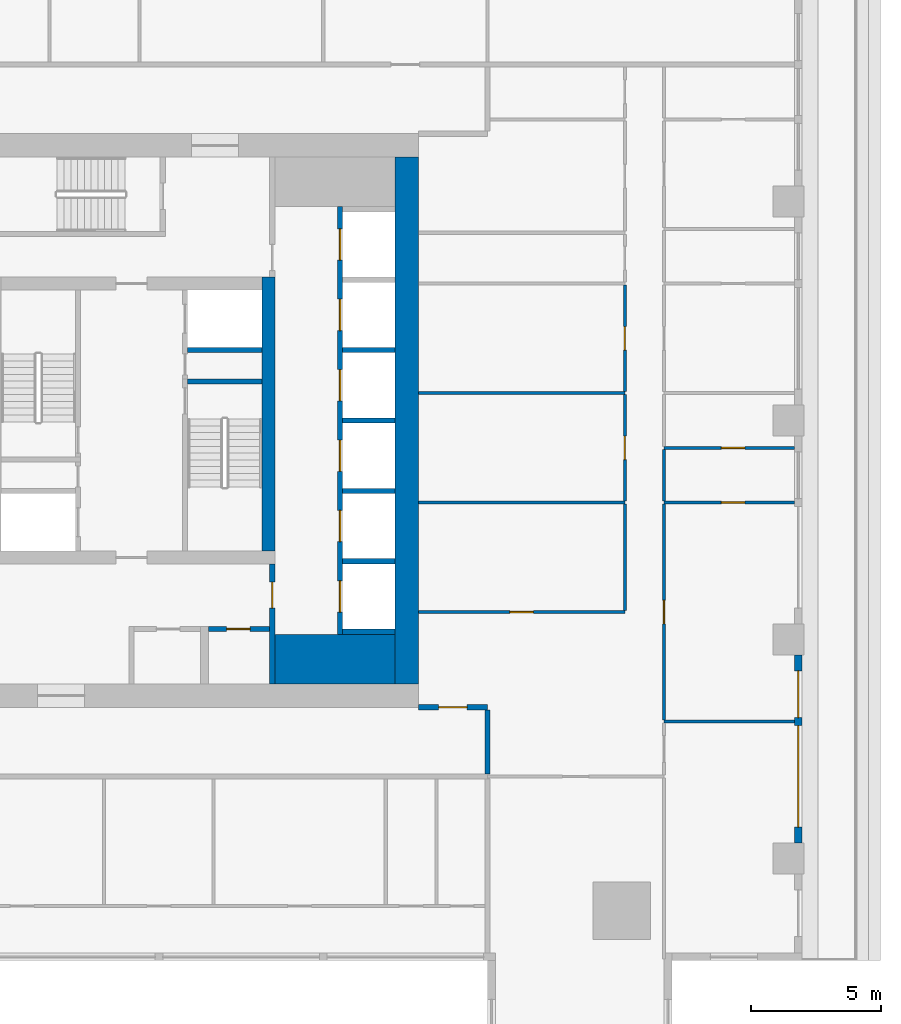
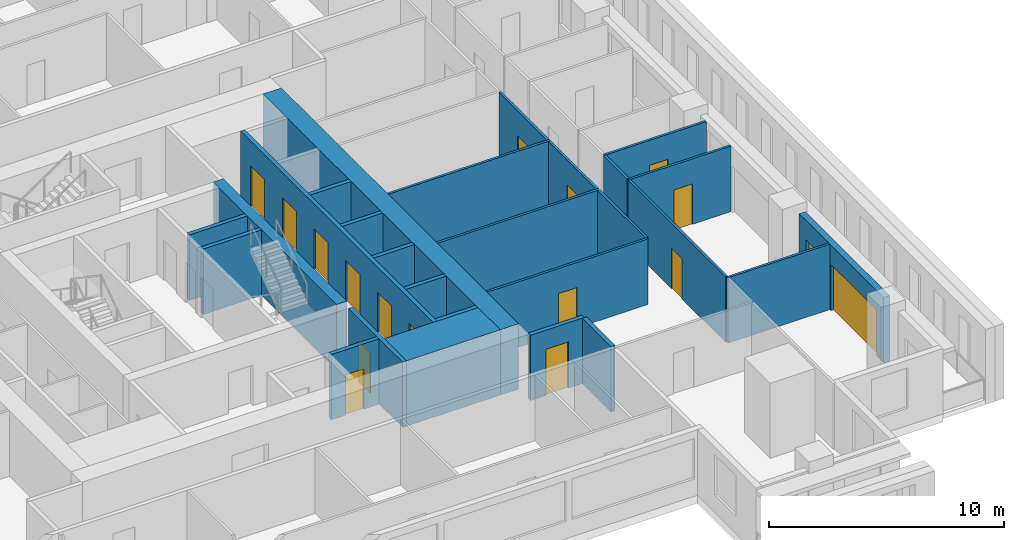
# One storey, part 5 of 14: 27 walls, 17 doors, 17 openings.
"""IFC4 building model written with IfcOpenShell, lengths in metres."""

from ifc_helpers import new_model, si_unit, direction, frame, frame_2d, origin, place, context, subcontext, project, spatial, rectangle, extrude, material, layer, layer_set, type_object, element, fill, save


model = new_model("IFC4")

# Units and contexts
model_context = context("Model", 3, precision=1e-05, world=origin(), true_north=direction((0.0, 1.0)))
body_context = subcontext(model_context, "Body", "Model", "MODEL_VIEW")
ifc_project = project(units=[si_unit("LENGTHUNIT", "METRE"), si_unit("AREAUNIT", "SQUARE_METRE"), si_unit("VOLUMEUNIT", "CUBIC_METRE"), si_unit("PLANEANGLEUNIT", "RADIAN"), si_unit("MASSUNIT", "GRAM", prefix="KILO")], contexts=[model_context])

# Site, building, storey
site_placement = place(None, origin())
site = spatial("IfcSite", under=ifc_project, at=site_placement, CompositionType="ELEMENT")
building_placement = place(site_placement, origin())
building = spatial("IfcBuilding", under=site, at=building_placement, Name="Khepri Terraces", CompositionType="ELEMENT")
storey_placement = place(building_placement, frame((0.0, 0.0, 283.5)))
storey = spatial("IfcBuildingStorey", under=building, at=storey_placement, Name="L68", CompositionType="ELEMENT", Elevation=283.5)

# Walls
ifc_material_1 = material(Name="Concrete C40/50", Category="concrete")
ifc_layer_1 = layer(ifc_material_1, 1.89990234375, Name="Concrete C40/50", Category="concrete")
ifc_layer_set_1 = layer_set([ifc_layer_1], Name="Concrete C40/50")
wall_type_1 = type_object("IfcWallType", Name="Core wall 1900 C40/50", PredefinedType="SHEAR", material=ifc_layer_set_1)
wall_1_placement = place(storey_placement, frame((5.5, -9.14990234375, 0.0), z_axis=(0.0, 0.0, 1.0), x_axis=(1.0, 0.0, 0.0)))
element("IfcWall", 1, at=wall_1_placement, inside=storey, type_object=wall_type_1, Name="Core wall PR02 L68", PredefinedType="SHEAR", context=body_context, shape_type="SweptSolid", body=[
    extrude(rectangle(XDim=4.60009765625, YDim=1.89990234375, at=frame_2d((2.300048828125, 0.0))), origin(), (0.0, 0.0, 1.0), 3.39990234375),
])
ifc_layer_2 = layer(ifc_material_1, 0.199951171875, Name="Concrete C40/50", Category="concrete")
ifc_layer_set_2 = layer_set([ifc_layer_2], Name="Concrete C40/50")
wall_type_2 = type_object("IfcWallType", Name="Core wall 200 C40/50", PredefinedType="SHEAR", material=ifc_layer_set_2)
wall_2_placement = place(storey_placement, frame((2.14990234375, 1.5, 0.0), z_axis=(0.0, 0.0, 1.0), x_axis=(1.0, 0.0, 0.0)))
element("IfcWall", 2, at=wall_2_placement, inside=storey, type_object=wall_type_2, Name="Core wall ST04 L68", PredefinedType="SHEAR", context=body_context, shape_type="SweptSolid", body=[
    extrude(rectangle(XDim=2.85009765625, YDim=0.199951171875, at=frame_2d((1.425048828125, 0.0))), origin(), (0.0, 0.0, 1.0), 3.39990234375),
])

# Wall, openings, doors
wall_3_placement = place(storey_placement, frame((8.0, -8.199951171875, 0.0), z_axis=(0.0, 0.0, 1.0), x_axis=(0.0, 1.0, 0.0)))
wall_3 = element("IfcWall", 3, at=wall_3_placement, inside=storey, type_object=wall_type_2, Name="Core wall SH02 L68", PredefinedType="SHEAR", context=body_context, shape_type="SweptSolid", body=[
    extrude(rectangle(XDim=16.39990234375, YDim=0.199951171875, at=frame_2d((8.199951171875, 0.0))), origin(), (0.0, 0.0, 1.0), 3.39990234375),
])
opening_1_placement = place(wall_3_placement, frame((0.85009765625, 0.0, 0.0)))
opening_1 = element("IfcOpeningElement", 4, at=opening_1_placement, cuts=wall_3, Name="Opening L68-C01", PredefinedType="OPENING", context=body_context, shape_type="SweptSolid", body=[
    extrude(rectangle(XDim=1.199951171875, YDim=2.10009765625, at=frame_2d((0.60009765625, 1.050048828125))), frame((0.0, 0.10986328125, 0.0), z_axis=(0.0, -1.0, 0.0), x_axis=(1.0, 0.0, 0.0)), (0.0, 0.0, 1.0), 0.219970703125),
])
opening_2_placement = place(wall_3_placement, frame((3.550048828125, 0.0, 0.0)))
opening_2 = element("IfcOpeningElement", 5, at=opening_2_placement, cuts=wall_3, Name="Opening L68-C02", PredefinedType="OPENING", context=body_context, shape_type="SweptSolid", body=[
    extrude(rectangle(XDim=1.199951171875, YDim=2.10009765625, at=frame_2d((0.60009765625, 1.050048828125))), frame((0.0, 0.10986328125, 0.0), z_axis=(0.0, -1.0, 0.0), x_axis=(1.0, 0.0, 0.0)), (0.0, 0.0, 1.0), 0.219970703125),
])
opening_3_placement = place(wall_3_placement, frame((6.25, 0.0, 0.0)))
opening_3 = element("IfcOpeningElement", 6, at=opening_3_placement, cuts=wall_3, Name="Opening L68-C03", PredefinedType="OPENING", context=body_context, shape_type="SweptSolid", body=[
    extrude(rectangle(XDim=1.199951171875, YDim=2.10009765625, at=frame_2d((0.60009765625, 1.050048828125))), frame((0.0, 0.10986328125, 0.0), z_axis=(0.0, -1.0, 0.0), x_axis=(1.0, 0.0, 0.0)), (0.0, 0.0, 1.0), 0.219970703125),
])
opening_4_placement = place(wall_3_placement, frame((8.949951171875, 0.0, 0.0)))
opening_4 = element("IfcOpeningElement", 7, at=opening_4_placement, cuts=wall_3, Name="Opening L68-C04", PredefinedType="OPENING", context=body_context, shape_type="SweptSolid", body=[
    extrude(rectangle(XDim=1.199951171875, YDim=2.10009765625, at=frame_2d((0.60009765625, 1.050048828125))), frame((0.0, 0.10986328125, 0.0), z_axis=(0.0, -1.0, 0.0), x_axis=(1.0, 0.0, 0.0)), (0.0, 0.0, 1.0), 0.219970703125),
])
opening_5_placement = place(wall_3_placement, frame((11.64990234375, 0.0, 0.0)))
opening_5 = element("IfcOpeningElement", 8, at=opening_5_placement, cuts=wall_3, Name="Opening L68-C05", PredefinedType="OPENING", context=body_context, shape_type="SweptSolid", body=[
    extrude(rectangle(XDim=1.199951171875, YDim=2.10009765625, at=frame_2d((0.60009765625, 1.050048828125))), frame((0.0, 0.10986328125, 0.0), z_axis=(0.0, -1.0, 0.0), x_axis=(1.0, 0.0, 0.0)), (0.0, 0.0, 1.0), 0.219970703125),
])
opening_6_placement = place(wall_3_placement, frame((14.35009765625, 0.0, 0.0)))
opening_6 = element("IfcOpeningElement", 9, at=opening_6_placement, cuts=wall_3, Name="Opening L68-C06", PredefinedType="OPENING", context=body_context, shape_type="SweptSolid", body=[
    extrude(rectangle(XDim=1.199951171875, YDim=2.10009765625, at=frame_2d((0.60009765625, 1.050048828125))), frame((0.0, 0.10986328125, 0.0), z_axis=(0.0, -1.0, 0.0), x_axis=(1.0, 0.0, 0.0)), (0.0, 0.0, 1.0), 0.219970703125),
])
ifc_material_2 = material(Name="Stainless steel 304", Category="steel")
door_type_1 = type_object("IfcDoorType", Name="DR-CORE-LANDING-1200", OperationType="NOTDEFINED", PredefinedType="DOOR", material=ifc_material_2)
door_1_placement = place(opening_1_placement, origin())
door_1 = element("IfcDoor", 10, at=door_1_placement, inside=storey, type_object=door_type_1, Name="Lift landing door L68-C01", OperationType="SLIDING_TO_LEFT", OverallHeight=2.10009765625, OverallWidth=1.199951171875, PredefinedType="DOOR", context=body_context, shape_type="SweptSolid", body=[
    extrude(rectangle(XDim=1.199951171875, YDim=2.10009765625, at=frame_2d((0.60009765625, 1.050048828125))), frame((0.0, 0.02490234375, 0.0), z_axis=(0.0, -1.0, 0.0), x_axis=(1.0, 0.0, 0.0)), (0.0, 0.0, 1.0), 0.050048828125),
])
fill(opening_1, door_1)
door_2_placement = place(opening_2_placement, origin())
door_2 = element("IfcDoor", 11, at=door_2_placement, inside=storey, type_object=door_type_1, Name="Lift landing door L68-C02", OperationType="SLIDING_TO_LEFT", OverallHeight=2.10009765625, OverallWidth=1.199951171875, PredefinedType="DOOR", context=body_context, shape_type="SweptSolid", body=[
    extrude(rectangle(XDim=1.199951171875, YDim=2.10009765625, at=frame_2d((0.60009765625, 1.050048828125))), frame((0.0, 0.02490234375, 0.0), z_axis=(0.0, -1.0, 0.0), x_axis=(1.0, 0.0, 0.0)), (0.0, 0.0, 1.0), 0.050048828125),
])
fill(opening_2, door_2)
door_3_placement = place(opening_3_placement, origin())
door_3 = element("IfcDoor", 12, at=door_3_placement, inside=storey, type_object=door_type_1, Name="Lift landing door L68-C03", OperationType="SLIDING_TO_LEFT", OverallHeight=2.10009765625, OverallWidth=1.199951171875, PredefinedType="DOOR", context=body_context, shape_type="SweptSolid", body=[
    extrude(rectangle(XDim=1.199951171875, YDim=2.10009765625, at=frame_2d((0.60009765625, 1.050048828125))), frame((0.0, 0.02490234375, 0.0), z_axis=(0.0, -1.0, 0.0), x_axis=(1.0, 0.0, 0.0)), (0.0, 0.0, 1.0), 0.050048828125),
])
fill(opening_3, door_3)
door_4_placement = place(opening_4_placement, origin())
door_4 = element("IfcDoor", 13, at=door_4_placement, inside=storey, type_object=door_type_1, Name="Lift landing door L68-C04", OperationType="SLIDING_TO_LEFT", OverallHeight=2.10009765625, OverallWidth=1.199951171875, PredefinedType="DOOR", context=body_context, shape_type="SweptSolid", body=[
    extrude(rectangle(XDim=1.199951171875, YDim=2.10009765625, at=frame_2d((0.60009765625, 1.050048828125))), frame((0.0, 0.02490234375, 0.0), z_axis=(0.0, -1.0, 0.0), x_axis=(1.0, 0.0, 0.0)), (0.0, 0.0, 1.0), 0.050048828125),
])
fill(opening_4, door_4)
door_5_placement = place(opening_5_placement, origin())
door_5 = element("IfcDoor", 14, at=door_5_placement, inside=storey, type_object=door_type_1, Name="Lift landing door L68-C05", OperationType="SLIDING_TO_LEFT", OverallHeight=2.10009765625, OverallWidth=1.199951171875, PredefinedType="DOOR", context=body_context, shape_type="SweptSolid", body=[
    extrude(rectangle(XDim=1.199951171875, YDim=2.10009765625, at=frame_2d((0.60009765625, 1.050048828125))), frame((0.0, 0.02490234375, 0.0), z_axis=(0.0, -1.0, 0.0), x_axis=(1.0, 0.0, 0.0)), (0.0, 0.0, 1.0), 0.050048828125),
])
fill(opening_5, door_5)
door_6_placement = place(opening_6_placement, origin())
door_6 = element("IfcDoor", 15, at=door_6_placement, inside=storey, type_object=door_type_1, Name="Lift landing door L68-C06", OperationType="SLIDING_TO_LEFT", OverallHeight=2.10009765625, OverallWidth=1.199951171875, PredefinedType="DOOR", context=body_context, shape_type="SweptSolid", body=[
    extrude(rectangle(XDim=1.199951171875, YDim=2.10009765625, at=frame_2d((0.60009765625, 1.050048828125))), frame((0.0, 0.02490234375, 0.0), z_axis=(0.0, -1.0, 0.0), x_axis=(1.0, 0.0, 0.0)), (0.0, 0.0, 1.0), 0.050048828125),
])
fill(opening_6, door_6)

# Walls
for number, where, z_axis, x_axis, name in (
    (16, (8.10009765625, -8.10009765625, 0.0), (0.0, 0.0, 1.0), (1.0, 0.0, 0.0), "Core wall SH03 L68"),
    (17, (8.10009765625, -5.39990234375, 0.0), (0.0, 0.0, 1.0), (1.0, 0.0, 0.0), "Core wall SH04 L68"),
    (18, (8.10009765625, -2.699951171875, 0.0), (0.0, 0.0, 1.0), (1.0, 0.0, 0.0), "Core wall SH08 L68"),
    (19, (8.10009765625, 0.0, 0.0), (0.0, 0.0, 1.0), (1.0, 0.0, 0.0), "Core wall SH09 L68"),
):
    element("IfcWall", number, at=place(storey_placement, frame(where, z_axis=z_axis, x_axis=x_axis)), inside=storey, type_object=wall_type_2, Name=name, PredefinedType="SHEAR", context=body_context, shape_type="SweptSolid", body=[
        extrude(rectangle(XDim=2.0, YDim=0.199951171875, at=frame_2d((1.0, 0.0))), origin(), (0.0, 0.0, 1.0), 3.39990234375),
    ])
wall_4_placement = place(storey_placement, frame((2.14990234375, 2.699951171875, 0.0), z_axis=(0.0, 0.0, 1.0), x_axis=(1.0, 0.0, 0.0)))
element("IfcWall", 20, at=wall_4_placement, inside=storey, type_object=wall_type_2, Name="Core wall SH12 L68", PredefinedType="SHEAR", context=body_context, shape_type="SweptSolid", body=[
    extrude(rectangle(XDim=2.85009765625, YDim=0.199951171875, at=frame_2d((1.425048828125, 0.0))), origin(), (0.0, 0.0, 1.0), 3.39990234375),
])
wall_5_placement = place(storey_placement, frame((8.10009765625, 2.699951171875, 0.0), z_axis=(0.0, 0.0, 1.0), x_axis=(1.0, 0.0, 0.0)))
element("IfcWall", 21, at=wall_5_placement, inside=storey, type_object=wall_type_2, Name="Core wall SH13 L68", PredefinedType="SHEAR", context=body_context, shape_type="SweptSolid", body=[
    extrude(rectangle(XDim=2.0, YDim=0.199951171875, at=frame_2d((1.0, 0.0))), origin(), (0.0, 0.0, 1.0), 3.39990234375),
])
ifc_layer_3 = layer(ifc_material_1, 0.5, Name="Concrete C40/50", Category="concrete")
ifc_layer_set_3 = layer_set([ifc_layer_3], Name="Concrete C40/50")
wall_type_3 = type_object("IfcWallType", Name="Core wall 500 C40/50", PredefinedType="SHEAR", material=ifc_layer_set_3)
wall_6_placement = place(storey_placement, frame((5.25, -5.0, 0.0), z_axis=(0.0, 0.0, 1.0), x_axis=(0.0, 1.0, 0.0)))
element("IfcWall", 22, at=wall_6_placement, inside=storey, type_object=wall_type_3, Name="Core wall BX03 L68", PredefinedType="SHEAR", context=body_context, shape_type="SweptSolid", body=[
    extrude(rectangle(XDim=10.5, YDim=0.5, at=frame_2d((5.25, 0.0))), origin(), (0.0, 0.0, 1.0), 3.39990234375),
])
ifc_layer_4 = layer(ifc_material_1, 0.89990234375, Name="Concrete C40/50", Category="concrete")
ifc_layer_set_4 = layer_set([ifc_layer_4], Name="Concrete C40/50")
wall_type_4 = type_object("IfcWallType", Name="Core wall 900 C40/50", PredefinedType="SHEAR", material=ifc_layer_set_4)
wall_7_placement = place(storey_placement, frame((10.550048828125, -10.10009765625, 0.0), z_axis=(0.0, 0.0, 1.0), x_axis=(0.0, 1.0, 0.0)))
element("IfcWall", 23, at=wall_7_placement, inside=storey, type_object=wall_type_4, Name="Core wall OW-E L68", PredefinedType="SHEAR", context=body_context, shape_type="SweptSolid", body=[
    extrude(rectangle(XDim=20.2001953125, YDim=0.89990234375, at=frame_2d((10.10009765625, 0.0))), origin(), (0.0, 0.0, 1.0), 3.39990234375),
])

# Wall, opening, door
ifc_material_3 = material(Name="Fire-rated gypsum board partition")
ifc_layer_5 = layer(ifc_material_3, 0.199951171875, Name="Fire-rated gypsum board partition")
ifc_layer_set_5 = layer_set([ifc_layer_5], Name="Fire-rated gypsum board partition")
wall_type_5 = type_object("IfcWallType", Name="WL-CORE-PART-200", PredefinedType="PARTITIONING", material=ifc_layer_set_5)
wall_8_placement = place(storey_placement, frame((5.39990234375, -10.10009765625, 0.0), z_axis=(0.0, 0.0, 1.0), x_axis=(0.0, 1.0, 0.0)))
wall_8 = element("IfcWall", 24, at=wall_8_placement, inside=storey, type_object=wall_type_5, Name="Core partition PT04 L68", PredefinedType="PARTITIONING", context=body_context, shape_type="SweptSolid", body=[
    extrude(rectangle(XDim=4.60009765625, YDim=0.199951171875, at=frame_2d((2.300048828125, 0.0))), origin(), (0.0, 0.0, 1.0), 3.39990234375),
])
opening_7_placement = place(wall_8_placement, frame((2.89990234375, 0.0, 0.0)))
opening_7 = element("IfcOpeningElement", 25, at=opening_7_placement, cuts=wall_8, Name="Opening L68-C19", PredefinedType="OPENING", context=body_context, shape_type="SweptSolid", body=[
    extrude(rectangle(XDim=1.0, YDim=2.10009765625, at=frame_2d((0.5, 1.050048828125))), frame((0.0, 0.10986328125, 0.0), z_axis=(0.0, -1.0, 0.0), x_axis=(1.0, 0.0, 0.0)), (0.0, 0.0, 1.0), 0.219970703125),
])
ifc_material_4 = material(Name="Painted steel", Category="steel")
door_type_2 = type_object("IfcDoorType", Name="DR-CORE-LOBBY-1000", OperationType="NOTDEFINED", PredefinedType="DOOR", material=ifc_material_4)
door_7_placement = place(opening_7_placement, origin())
door_7 = element("IfcDoor", 26, at=door_7_placement, inside=storey, type_object=door_type_2, Name="Lobby door L68-C19", OperationType="SINGLE_SWING_RIGHT", OverallHeight=2.10009765625, OverallWidth=1.0, PredefinedType="DOOR", context=body_context, shape_type="SweptSolid", body=[
    extrude(rectangle(XDim=1.0, YDim=2.10009765625, at=frame_2d((0.5, 1.050048828125))), frame((0.0, 0.02490234375, 0.0), z_axis=(0.0, -1.0, 0.0), x_axis=(1.0, 0.0, 0.0)), (0.0, 0.0, 1.0), 0.050048828125),
])
fill(opening_7, door_7)

wall_9_placement = place(storey_placement, frame((2.949951171875, -8.0, 0.0), z_axis=(0.0, 0.0, 1.0), x_axis=(1.0, 0.0, 0.0)))
wall_9 = element("IfcWall", 27, at=wall_9_placement, inside=storey, type_object=wall_type_5, Name="Core partition PT07 L68", PredefinedType="PARTITIONING", context=body_context, shape_type="SweptSolid", body=[
    extrude(rectangle(XDim=2.35009765625, YDim=0.199951171875, at=frame_2d((1.175048828125, 0.0))), origin(), (0.0, 0.0, 1.0), 3.39990234375),
])
opening_8_placement = place(wall_9_placement, frame((0.699951171875, 0.0, 0.0)))
opening_8 = element("IfcOpeningElement", 28, at=opening_8_placement, cuts=wall_9, Name="Opening L68-C23", PredefinedType="OPENING", context=body_context, shape_type="SweptSolid", body=[
    extrude(rectangle(XDim=0.89990234375, YDim=2.10009765625, at=frame_2d((0.449951171875, 1.050048828125))), frame((0.0, 0.10986328125, 0.0), z_axis=(0.0, -1.0, 0.0), x_axis=(1.0, 0.0, 0.0)), (0.0, 0.0, 1.0), 0.219970703125),
])
door_type_3 = type_object("IfcDoorType", Name="DR-CORE-SERVICE-900", OperationType="NOTDEFINED", PredefinedType="DOOR", material=ifc_material_4)
door_8_placement = place(opening_8_placement, frame((0.89990234375, 0.0, 0.0), z_axis=(0.0, 0.0, 1.0), x_axis=(-1.0, 0.0, 0.0)))
door_8 = element("IfcDoor", 29, at=door_8_placement, inside=storey, type_object=door_type_3, Name="Service room door L68-C23", OperationType="SINGLE_SWING_RIGHT", OverallHeight=2.10009765625, OverallWidth=0.89990234375, PredefinedType="DOOR", context=body_context, shape_type="SweptSolid", body=[
    extrude(rectangle(XDim=0.89990234375, YDim=2.10009765625, at=frame_2d((0.449951171875, 1.050048828125))), frame((0.0, 0.02490234375, 0.0), z_axis=(0.0, -1.0, 0.0), x_axis=(1.0, 0.0, 0.0)), (0.0, 0.0, 1.0), 0.050048828125),
])
fill(opening_8, door_8)

# Wall
ifc_material_5 = material(Name="Fire-rated gypsum plasterboard partition, mineral wool")
ifc_layer_6 = layer(ifc_material_5, 0.199951171875, Name="Fire-rated gypsum plasterboard partition, mineral wool")
ifc_layer_set_6 = layer_set([ifc_layer_6], Name="Fire-rated gypsum plasterboard partition, mineral wool")
wall_type_6 = type_object("IfcWallType", Name="WL-CORR-200", PredefinedType="PARTITIONING", material=ifc_layer_set_6)
wall_10_placement = place(storey_placement, frame((13.64990234375, -13.550048828125, 0.0), z_axis=(0.0, 0.0, 1.0), x_axis=(0.0, 1.0, 0.0)))
element("IfcWall", 30, at=wall_10_placement, inside=storey, type_object=wall_type_6, Name="Partition P-020 L68", PredefinedType="PARTITIONING", context=body_context, shape_type="SweptSolid", body=[
    extrude(rectangle(XDim=2.449951171875, YDim=0.199951171875, at=frame_2d((1.22509765625, 0.0))), origin(), (0.0, 0.0, 1.0), 3.39990234375),
])

# Wall, opening, door
wall_11_placement = place(storey_placement, frame((11.0, -11.0, 0.0), z_axis=(0.0, 0.0, 1.0), x_axis=(1.0, 0.0, 0.0)))
wall_11 = element("IfcWall", 31, at=wall_11_placement, inside=storey, type_object=wall_type_6, Name="Partition P-026 L68", PredefinedType="PARTITIONING", context=body_context, shape_type="SweptSolid", body=[
    extrude(rectangle(XDim=2.64990234375, YDim=0.199951171875, at=frame_2d((1.324951171875, 0.0))), origin(), (0.0, 0.0, 1.0), 3.39990234375),
])
opening_9_placement = place(wall_11_placement, frame((0.77490234375, 0.0, 0.0)))
opening_9 = element("IfcOpeningElement", 32, at=opening_9_placement, cuts=wall_11, Name="Opening D1", PredefinedType="OPENING", context=body_context, shape_type="SweptSolid", body=[
    extrude(rectangle(XDim=1.10009765625, YDim=2.39990234375, at=frame_2d((0.550048828125, 1.199951171875))), frame((0.0, 0.10986328125, 0.0), z_axis=(0.0, -1.0, 0.0), x_axis=(1.0, 0.0, 0.0)), (0.0, 0.0, 1.0), 0.219970703125),
])
ifc_material_6 = material(Name="Solid-core timber door leaf, flat entrance door", Category="wood")
door_type_4 = type_object("IfcDoorType", Name="DR-ENT-1100", OperationType="NOTDEFINED", PredefinedType="DOOR", material=ifc_material_6)
door_9_placement = place(opening_9_placement, origin())
door_9 = element("IfcDoor", 33, at=door_9_placement, inside=storey, type_object=door_type_4, Name="Flat B1 entrance door", OperationType="SINGLE_SWING_LEFT", OverallHeight=2.39990234375, OverallWidth=1.10009765625, PredefinedType="DOOR", context=body_context, shape_type="SweptSolid", body=[
    extrude(rectangle(XDim=1.10009765625, YDim=2.39990234375, at=frame_2d((0.550048828125, 1.199951171875))), frame((0.0, 0.02490234375, 0.0), z_axis=(0.0, -1.0, 0.0), x_axis=(1.0, 0.0, 0.0)), (0.0, 0.0, 1.0), 0.050048828125),
])
fill(opening_9, door_9)

# Wall, openings, doors
ifc_material_7 = material(Name="Precast concrete C50/60 warm stone", Category="masonry")
ifc_layer_7 = layer(ifc_material_7, 0.300048828125, Name="Precast concrete C50/60 warm stone", Category="masonry")
ifc_layer_set_7 = layer_set([ifc_layer_7], Name="Precast concrete C50/60 warm stone")
wall_type_7 = type_object("IfcWallType", Name="WL-EXT-PRECAST-300", PredefinedType="STANDARD", material=ifc_layer_set_7)
wall_12_placement = place(storey_placement, frame((25.570068359375, -16.199951171875, 0.0), z_axis=(0.0, 0.0, 1.0), x_axis=(0.0, 1.0, 0.0)))
wall_12 = element("IfcWall", 34, at=wall_12_placement, inside=storey, type_object=wall_type_7, Name="External wall L68 E", PredefinedType="STANDARD", context=body_context, shape_type="SweptSolid", body=[
    extrude(rectangle(XDim=7.199951171875, YDim=0.300048828125, at=frame_2d((3.60009765625, 0.0))), origin(), (0.0, 0.0, 1.0), 3.39990234375),
])
opening_10_placement = place(wall_12_placement, frame((0.60009765625, 0.0, 0.0)))
opening_10 = element("IfcOpeningElement", 35, at=opening_10_placement, cuts=wall_12, Name="Opening ED-L68-02", PredefinedType="OPENING", context=body_context, shape_type="SweptSolid", body=[
    extrude(rectangle(XDim=3.89990234375, YDim=2.39990234375, at=frame_2d((1.949951171875, 1.199951171875))), frame((0.0, 0.16015625, 0.0), z_axis=(0.0, -1.0, 0.0), x_axis=(1.0, 0.0, 0.0)), (0.0, 0.0, 1.0), 0.320068359375),
])
opening_11_placement = place(wall_12_placement, frame((4.800048828125, 0.0, 0.0)))
opening_11 = element("IfcOpeningElement", 36, at=opening_11_placement, cuts=wall_12, Name="Opening ED-L68-03", PredefinedType="OPENING", context=body_context, shape_type="SweptSolid", body=[
    extrude(rectangle(XDim=1.800048828125, YDim=2.39990234375, at=frame_2d((0.89990234375, 1.199951171875))), frame((0.0, 0.16015625, 0.0), z_axis=(0.0, -1.0, 0.0), x_axis=(1.0, 0.0, 0.0)), (0.0, 0.0, 1.0), 0.320068359375),
])
ifc_material_8 = material(Name="Anodised aluminium bronze glazed door", Category="aluminium")
door_type_5 = type_object("IfcDoorType", Name="DR-BAL-SLIDE-1800x2400", OperationType="NOTDEFINED", PredefinedType="DOOR", material=ifc_material_8)
door_10_placement = place(opening_11_placement, origin())
door_10 = element("IfcDoor", 37, at=door_10_placement, inside=storey, type_object=door_type_5, Name="Balcony door L68 E", OperationType="SLIDING_TO_RIGHT", OverallHeight=2.39990234375, OverallWidth=1.800048828125, PredefinedType="DOOR", context=body_context, shape_type="SweptSolid", body=[
    extrude(rectangle(XDim=1.800048828125, YDim=2.39990234375, at=frame_2d((0.89990234375, 1.199951171875))), frame((0.0, 0.02490234375, 0.0), z_axis=(0.0, -1.0, 0.0), x_axis=(1.0, 0.0, 0.0)), (0.0, 0.0, 1.0), 0.050048828125),
])
fill(opening_11, door_10)
door_type_6 = type_object("IfcDoorType", Name="DR-BAL-SLIDE-3900x2400", OperationType="NOTDEFINED", PredefinedType="DOOR", material=ifc_material_8)
door_11_placement = place(opening_10_placement, origin())
door_11 = element("IfcDoor", 38, at=door_11_placement, inside=storey, type_object=door_type_6, Name="Balcony door L68 E", OperationType="SLIDING_TO_LEFT", OverallHeight=2.39990234375, OverallWidth=3.89990234375, PredefinedType="DOOR", context=body_context, shape_type="SweptSolid", body=[
    extrude(rectangle(XDim=3.89990234375, YDim=2.39990234375, at=frame_2d((1.949951171875, 1.199951171875))), frame((0.0, 0.02490234375, 0.0), z_axis=(0.0, -1.0, 0.0), x_axis=(1.0, 0.0, 0.0)), (0.0, 0.0, 1.0), 0.050048828125),
])
fill(opening_10, door_11)

# Wall
ifc_material_9 = material(Name="Gypsum plasterboard partition")
ifc_layer_8 = layer(ifc_material_9, 0.1201171875, Name="Gypsum plasterboard partition")
ifc_layer_set_8 = layer_set([ifc_layer_8], Name="Gypsum plasterboard partition")
wall_type_8 = type_object("IfcWallType", Name="WL-PART-120", PredefinedType="PARTITIONING", material=ifc_layer_set_8)
wall_13_placement = place(storey_placement, frame((20.419921875, -11.550048828125, 0.0), z_axis=(0.0, 0.0, 1.0), x_axis=(1.0, 0.0, 0.0)))
element("IfcWall", 39, at=wall_13_placement, inside=storey, type_object=wall_type_8, Name="Partition P-022 L68", PredefinedType="PARTITIONING", context=body_context, shape_type="SweptSolid", body=[
    extrude(rectangle(XDim=5.0, YDim=0.1201171875, at=frame_2d((2.5, 0.0))), origin(), (0.0, 0.0, 1.0), 3.39990234375),
])

# Wall, opening, door
wall_14_placement = place(storey_placement, frame((20.419921875, -11.489990234375, 0.0), z_axis=(0.0, 0.0, 1.0), x_axis=(0.0, 1.0, 0.0)))
wall_14 = element("IfcWall", 40, at=wall_14_placement, inside=storey, type_object=wall_type_8, Name="Partition P-024 L68", PredefinedType="PARTITIONING", context=body_context, shape_type="SweptSolid", body=[
    extrude(rectangle(XDim=8.280029296875, YDim=0.1201171875, at=frame_2d((4.14013671875, 0.0))), origin(), (0.0, 0.0, 1.0), 3.39990234375),
])
opening_12_placement = place(wall_14_placement, frame((3.68994140625, 0.0, 0.0)))
opening_12 = element("IfcOpeningElement", 41, at=opening_12_placement, cuts=wall_14, Name="Opening D3", PredefinedType="OPENING", context=body_context, shape_type="SweptSolid", body=[
    extrude(rectangle(XDim=0.89990234375, YDim=2.10009765625, at=frame_2d((0.449951171875, 1.050048828125))), frame((0.0, 0.070068359375, 0.0), z_axis=(0.0, -1.0, 0.0), x_axis=(1.0, 0.0, 0.0)), (0.0, 0.0, 1.0), 0.14013671875),
])
ifc_material_10 = material(Name="Timber door leaf", Category="wood")
door_type_7 = type_object("IfcDoorType", Name="DR-INT-900", OperationType="NOTDEFINED", PredefinedType="DOOR", material=ifc_material_10)
door_12_placement = place(opening_12_placement, frame((0.89990234375, 0.0, 0.0), z_axis=(0.0, 0.0, 1.0), x_axis=(-1.0, 0.0, 0.0)))
door_12 = element("IfcDoor", 42, at=door_12_placement, inside=storey, type_object=door_type_7, Name="Door Master Bedroom", OperationType="SINGLE_SWING_RIGHT", OverallHeight=2.10009765625, OverallWidth=0.89990234375, PredefinedType="DOOR", context=body_context, shape_type="SweptSolid", body=[
    extrude(rectangle(XDim=0.89990234375, YDim=2.10009765625, at=frame_2d((0.449951171875, 1.050048828125))), frame((0.0, 0.02490234375, 0.0), z_axis=(0.0, -1.0, 0.0), x_axis=(1.0, 0.0, 0.0)), (0.0, 0.0, 1.0), 0.050048828125),
])
fill(opening_12, door_12)

wall_15_placement = place(storey_placement, frame((11.0, -7.35009765625, 0.0), z_axis=(0.0, 0.0, 1.0), x_axis=(1.0, 0.0, 0.0)))
wall_15 = element("IfcWall", 43, at=wall_15_placement, inside=storey, type_object=wall_type_8, Name="Partition P-028 L68", PredefinedType="PARTITIONING", context=body_context, shape_type="SweptSolid", body=[
    extrude(rectangle(XDim=7.919921875, YDim=0.1201171875, at=frame_2d((3.9599609375, 0.0))), origin(), (0.0, 0.0, 1.0), 3.39990234375),
])
opening_13_placement = place(wall_15_placement, frame((3.510009765625, 0.0, 0.0)))
opening_13 = element("IfcOpeningElement", 44, at=opening_13_placement, cuts=wall_15, Name="Opening D3", PredefinedType="OPENING", context=body_context, shape_type="SweptSolid", body=[
    extrude(rectangle(XDim=0.89990234375, YDim=2.10009765625, at=frame_2d((0.449951171875, 1.050048828125))), frame((0.0, 0.070068359375, 0.0), z_axis=(0.0, -1.0, 0.0), x_axis=(1.0, 0.0, 0.0)), (0.0, 0.0, 1.0), 0.14013671875),
])
door_13_placement = place(opening_13_placement, origin())
door_13 = element("IfcDoor", 45, at=door_13_placement, inside=storey, type_object=door_type_7, Name="Door Kitchen", OperationType="SINGLE_SWING_RIGHT", OverallHeight=2.10009765625, OverallWidth=0.89990234375, PredefinedType="DOOR", context=body_context, shape_type="SweptSolid", body=[
    extrude(rectangle(XDim=0.89990234375, YDim=2.10009765625, at=frame_2d((0.449951171875, 1.050048828125))), frame((0.0, 0.02490234375, 0.0), z_axis=(0.0, -1.0, 0.0), x_axis=(1.0, 0.0, 0.0)), (0.0, 0.0, 1.0), 0.050048828125),
])
fill(opening_13, door_13)

# Walls
wall_16_placement = place(storey_placement, frame((18.919921875, -7.2900390625, 0.0), z_axis=(0.0, 0.0, 1.0), x_axis=(0.0, 1.0, 0.0)))
element("IfcWall", 46, at=wall_16_placement, inside=storey, type_object=wall_type_8, Name="Partition P-030 L68", PredefinedType="PARTITIONING", context=body_context, shape_type="SweptSolid", body=[
    extrude(rectangle(XDim=4.080078125, YDim=0.1201171875, at=frame_2d((2.0400390625, 0.0))), origin(), (0.0, 0.0, 1.0), 3.39990234375),
])
wall_17_placement = place(storey_placement, frame((11.0, -3.14990234375, 0.0), z_axis=(0.0, 0.0, 1.0), x_axis=(1.0, 0.0, 0.0)))
element("IfcWall", 47, at=wall_17_placement, inside=storey, type_object=wall_type_8, Name="Partition P-035 L68", PredefinedType="PARTITIONING", context=body_context, shape_type="SweptSolid", body=[
    extrude(rectangle(XDim=7.919921875, YDim=0.1201171875, at=frame_2d((3.9599609375, 0.0))), origin(), (0.0, 0.0, 1.0), 3.39990234375),
])

# Wall, opening, door
wall_18_placement = place(storey_placement, frame((20.419921875, -3.14990234375, 0.0), z_axis=(0.0, 0.0, 1.0), x_axis=(1.0, 0.0, 0.0)))
wall_18 = element("IfcWall", 48, at=wall_18_placement, inside=storey, type_object=wall_type_8, Name="Partition P-036 L68", PredefinedType="PARTITIONING", context=body_context, shape_type="SweptSolid", body=[
    extrude(rectangle(XDim=5.0, YDim=0.1201171875, at=frame_2d((2.5, 0.0))), origin(), (0.0, 0.0, 1.0), 3.39990234375),
])
opening_14_placement = place(wall_18_placement, frame((2.199951171875, 0.0, 0.0)))
opening_14 = element("IfcOpeningElement", 49, at=opening_14_placement, cuts=wall_18, Name="Opening D3", PredefinedType="OPENING", context=body_context, shape_type="SweptSolid", body=[
    extrude(rectangle(XDim=0.89990234375, YDim=2.10009765625, at=frame_2d((0.449951171875, 1.050048828125))), frame((0.0, 0.070068359375, 0.0), z_axis=(0.0, -1.0, 0.0), x_axis=(1.0, 0.0, 0.0)), (0.0, 0.0, 1.0), 0.14013671875),
])
door_14_placement = place(opening_14_placement, origin())
door_14 = element("IfcDoor", 50, at=door_14_placement, inside=storey, type_object=door_type_7, Name="Door Dressing Room", OperationType="SINGLE_SWING_RIGHT", OverallHeight=2.10009765625, OverallWidth=0.89990234375, PredefinedType="DOOR", context=body_context, shape_type="SweptSolid", body=[
    extrude(rectangle(XDim=0.89990234375, YDim=2.10009765625, at=frame_2d((0.449951171875, 1.050048828125))), frame((0.0, 0.02490234375, 0.0), z_axis=(0.0, -1.0, 0.0), x_axis=(1.0, 0.0, 0.0)), (0.0, 0.0, 1.0), 0.050048828125),
])
fill(opening_14, door_14)

wall_19_placement = place(storey_placement, frame((18.919921875, -3.090087890625, 0.0), z_axis=(0.0, 0.0, 1.0), x_axis=(0.0, 1.0, 0.0)))
wall_19 = element("IfcWall", 51, at=wall_19_placement, inside=storey, type_object=wall_type_8, Name="Partition P-037 L68", PredefinedType="PARTITIONING", context=body_context, shape_type="SweptSolid", body=[
    extrude(rectangle(XDim=4.080078125, YDim=0.1201171875, at=frame_2d((2.0400390625, 0.0))), origin(), (0.0, 0.0, 1.0), 3.39990234375),
])
opening_15_placement = place(wall_19_placement, frame((1.590087890625, 0.0, 0.0)))
opening_15 = element("IfcOpeningElement", 52, at=opening_15_placement, cuts=wall_19, Name="Opening D3", PredefinedType="OPENING", context=body_context, shape_type="SweptSolid", body=[
    extrude(rectangle(XDim=0.89990234375, YDim=2.10009765625, at=frame_2d((0.449951171875, 1.050048828125))), frame((0.0, 0.070068359375, 0.0), z_axis=(0.0, -1.0, 0.0), x_axis=(1.0, 0.0, 0.0)), (0.0, 0.0, 1.0), 0.14013671875),
])
door_15_placement = place(opening_15_placement, origin())
door_15 = element("IfcDoor", 53, at=door_15_placement, inside=storey, type_object=door_type_7, Name="Door Service Store", OperationType="SINGLE_SWING_RIGHT", OverallHeight=2.10009765625, OverallWidth=0.89990234375, PredefinedType="DOOR", context=body_context, shape_type="SweptSolid", body=[
    extrude(rectangle(XDim=0.89990234375, YDim=2.10009765625, at=frame_2d((0.449951171875, 1.050048828125))), frame((0.0, 0.02490234375, 0.0), z_axis=(0.0, -1.0, 0.0), x_axis=(1.0, 0.0, 0.0)), (0.0, 0.0, 1.0), 0.050048828125),
])
fill(opening_15, door_15)

# Wall
wall_20_placement = place(storey_placement, frame((20.419921875, -3.090087890625, 0.0), z_axis=(0.0, 0.0, 1.0), x_axis=(0.0, 1.0, 0.0)))
element("IfcWall", 54, at=wall_20_placement, inside=storey, type_object=wall_type_8, Name="Partition P-038 L68", PredefinedType="PARTITIONING", context=body_context, shape_type="SweptSolid", body=[
    extrude(rectangle(XDim=1.97998046875, YDim=0.1201171875, at=frame_2d((0.989990234375, 0.0))), origin(), (0.0, 0.0, 1.0), 3.39990234375),
])

# Wall, opening, door
wall_21_placement = place(storey_placement, frame((20.419921875, -1.050048828125, 0.0), z_axis=(0.0, 0.0, 1.0), x_axis=(1.0, 0.0, 0.0)))
wall_21 = element("IfcWall", 55, at=wall_21_placement, inside=storey, type_object=wall_type_8, Name="Partition P-043 L68", PredefinedType="PARTITIONING", context=body_context, shape_type="SweptSolid", body=[
    extrude(rectangle(XDim=5.0, YDim=0.1201171875, at=frame_2d((2.5, 0.0))), origin(), (0.0, 0.0, 1.0), 3.39990234375),
])
opening_16_placement = place(wall_21_placement, frame((2.199951171875, 0.0, 0.0)))
opening_16 = element("IfcOpeningElement", 56, at=opening_16_placement, cuts=wall_21, Name="Opening D4", PredefinedType="OPENING", context=body_context, shape_type="SweptSolid", body=[
    extrude(rectangle(XDim=0.89990234375, YDim=2.10009765625, at=frame_2d((0.449951171875, 1.050048828125))), frame((0.0, 0.070068359375, 0.0), z_axis=(0.0, -1.0, 0.0), x_axis=(1.0, 0.0, 0.0)), (0.0, 0.0, 1.0), 0.14013671875),
])
ifc_material_11 = material(Name="Timber door leaf, moisture resistant", Category="wood")
door_type_8 = type_object("IfcDoorType", Name="DR-WET-900", OperationType="NOTDEFINED", PredefinedType="DOOR", material=ifc_material_11)
door_16_placement = place(opening_16_placement, origin())
door_16 = element("IfcDoor", 57, at=door_16_placement, inside=storey, type_object=door_type_8, Name="Door Bathroom", OperationType="SINGLE_SWING_RIGHT", OverallHeight=2.10009765625, OverallWidth=0.89990234375, PredefinedType="DOOR", context=body_context, shape_type="SweptSolid", body=[
    extrude(rectangle(XDim=0.89990234375, YDim=2.10009765625, at=frame_2d((0.449951171875, 1.050048828125))), frame((0.0, 0.02490234375, 0.0), z_axis=(0.0, -1.0, 0.0), x_axis=(1.0, 0.0, 0.0)), (0.0, 0.0, 1.0), 0.050048828125),
])
fill(opening_16, door_16)

# Wall
wall_22_placement = place(storey_placement, frame((11.0, 1.050048828125, 0.0), z_axis=(0.0, 0.0, 1.0), x_axis=(1.0, 0.0, 0.0)))
element("IfcWall", 58, at=wall_22_placement, inside=storey, type_object=wall_type_8, Name="Partition P-047 L68", PredefinedType="PARTITIONING", context=body_context, shape_type="SweptSolid", body=[
    extrude(rectangle(XDim=7.919921875, YDim=0.1201171875, at=frame_2d((3.9599609375, 0.0))), origin(), (0.0, 0.0, 1.0), 3.39990234375),
])

# Wall, opening, door
wall_23_placement = place(storey_placement, frame((18.919921875, 1.110107421875, 0.0), z_axis=(0.0, 0.0, 1.0), x_axis=(0.0, 1.0, 0.0)))
wall_23 = element("IfcWall", 59, at=wall_23_placement, inside=storey, type_object=wall_type_8, Name="Partition P-049 L68", PredefinedType="PARTITIONING", context=body_context, shape_type="SweptSolid", body=[
    extrude(rectangle(XDim=4.079833984375, YDim=0.1201171875, at=frame_2d((2.0400390625, 0.0))), origin(), (0.0, 0.0, 1.0), 3.39990234375),
])
opening_17_placement = place(wall_23_placement, frame((1.590087890625, 0.0, 0.0)))
opening_17 = element("IfcOpeningElement", 60, at=opening_17_placement, cuts=wall_23, Name="Opening D3", PredefinedType="OPENING", context=body_context, shape_type="SweptSolid", body=[
    extrude(rectangle(XDim=0.89990234375, YDim=2.10009765625, at=frame_2d((0.449951171875, 1.050048828125))), frame((0.0, 0.070068359375, 0.0), z_axis=(0.0, -1.0, 0.0), x_axis=(1.0, 0.0, 0.0)), (0.0, 0.0, 1.0), 0.14013671875),
])
door_17_placement = place(opening_17_placement, origin())
door_17 = element("IfcDoor", 61, at=door_17_placement, inside=storey, type_object=door_type_7, Name="Door Staff Bedroom", OperationType="SINGLE_SWING_RIGHT", OverallHeight=2.10009765625, OverallWidth=0.89990234375, PredefinedType="DOOR", context=body_context, shape_type="SweptSolid", body=[
    extrude(rectangle(XDim=0.89990234375, YDim=2.10009765625, at=frame_2d((0.449951171875, 1.050048828125))), frame((0.0, 0.02490234375, 0.0), z_axis=(0.0, -1.0, 0.0), x_axis=(1.0, 0.0, 0.0)), (0.0, 0.0, 1.0), 0.050048828125),
])
fill(opening_17, door_17)

save(model, "model.ifc")
